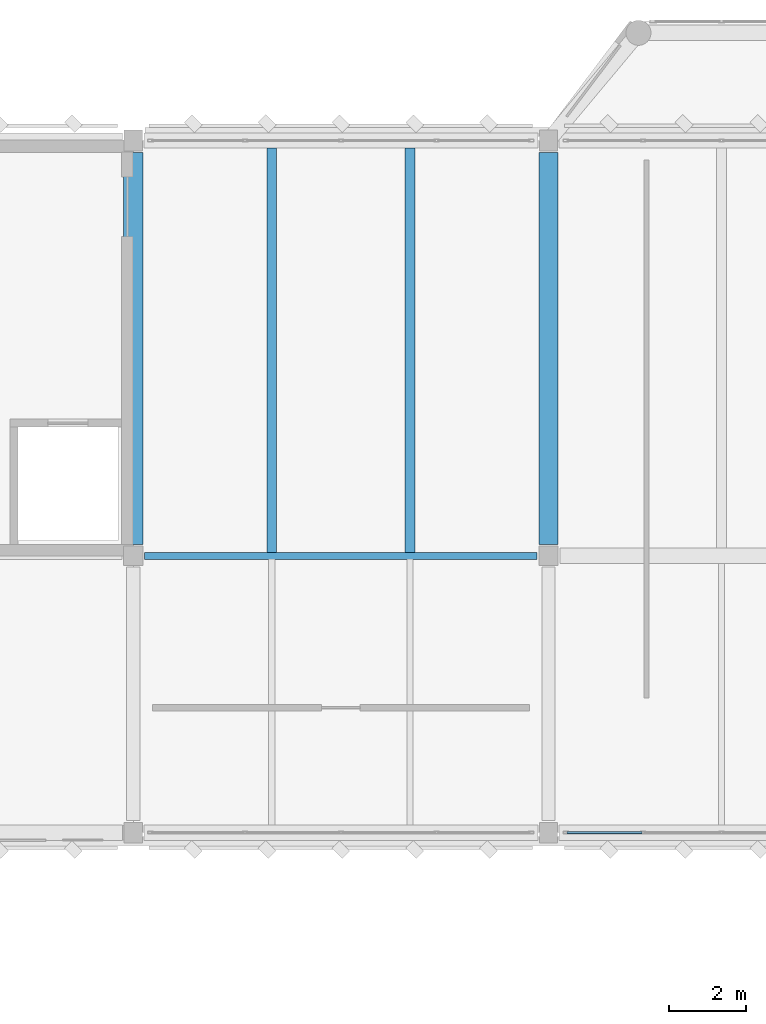
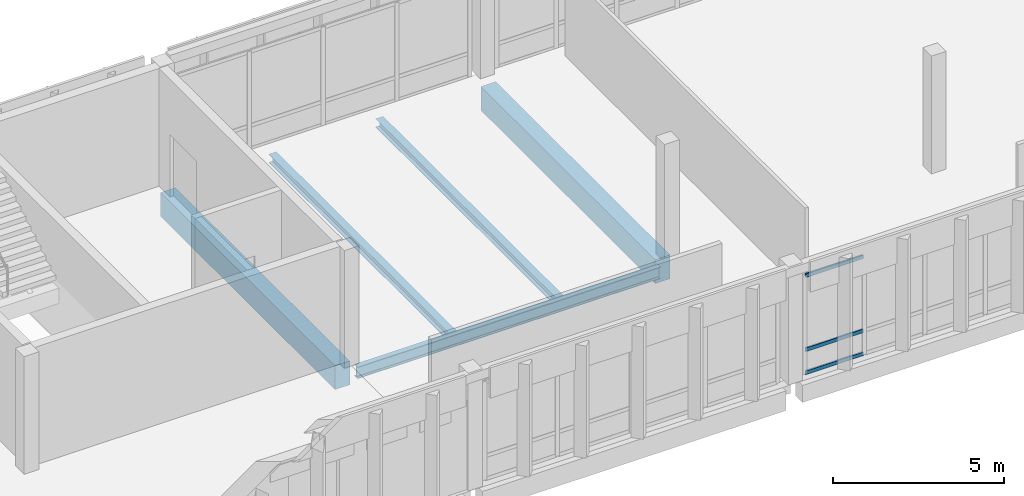
# One storey, part 34 of 72: 5 beams, 3 members, 1 element without a shape of its own.
"""IFC4 building model written with IfcOpenShell, lengths in metres."""

import ifcopenshell
import ifcopenshell.guid

model = None  # the IFC model being written
_history = None  # IfcOwnerHistory: only IFC2X3 demands one
_inside = {}  # id of a spatial element -> (the spatial element, [elements in it])
_under = {}  # id of a project, library or spatial element -> (it, [spatial elements below it])
_declared = {}  # id of a project -> (the project, [libraries it declares])
_typed = {}  # id of a type object -> (the type object, [elements of that type])
_made_of = {}  # id of a material, layer set ... -> (it, [elements and type objects made of it])


def new_model(schema):
    """Start an empty IFC model of exactly this schema.

    Asked for "IFC4X3", IfcOpenShell would pick the latest addendum, in which some entities
    have other attributes; the version numbers below select the first issue.
    IFC2X3 requires an IfcOwnerHistory on every rooted entity: one is made here for all.
    """
    global model, _history
    if schema == "IFC4X3":
        model = ifcopenshell.file(schema_version=(4, 3, 0, 0))
    else:
        model = ifcopenshell.file(schema=schema)
    _inside.clear()
    _under.clear()
    _declared.clear()
    _typed.clear()
    _made_of.clear()
    _history = None
    if model.schema == "IFC2X3":
        org = make("IfcOrganization", Name="unknown")
        user = make(
            "IfcPersonAndOrganization",
            ThePerson=make("IfcPerson", FamilyName="unknown"),
            TheOrganization=org,
        )
        app = make(
            "IfcApplication",
            ApplicationDeveloper=org,
            Version="unknown",
            ApplicationFullName="unknown",
            ApplicationIdentifier="unknown",
        )
        _history = make(
            "IfcOwnerHistory",
            OwningUser=user,
            OwningApplication=app,
            ChangeAction="ADDED",
            CreationDate=0,
        )
    return model


def make(cls, **values):
    """One entity of the class cls with the attributes given. An attribute that is None is left unset."""
    return model.create_entity(
        cls, **{name: value for name, value in values.items() if value is not None}
    )


def rooted(cls, **values):
    """An entity with a GlobalId (a new one), such as an element, a storey or a relation."""
    return make(cls, GlobalId=ifcopenshell.guid.new(), OwnerHistory=_history, **values)


def si_unit(unit_type, name, prefix=None):
    """IfcSIUnit, for example si_unit("LENGTHUNIT", "METRE", prefix="MILLI")."""
    return make("IfcSIUnit", UnitType=unit_type, Prefix=prefix, Name=name)


def assignment(units):
    """IfcUnitAssignment: the units of a project."""
    return None if units is None else make("IfcUnitAssignment", Units=units)


def point(xyz):
    """IfcCartesianPoint."""
    return None if xyz is None else make("IfcCartesianPoint", Coordinates=xyz)


def direction(xyz):
    """IfcDirection."""
    return None if xyz is None else make("IfcDirection", DirectionRatios=xyz)


def frame(location, z_axis=None, x_axis=None):
    """IfcAxis2Placement3D, a coordinate frame: its origin and axes. An axis left out is left unset."""
    return make(
        "IfcAxis2Placement3D",
        Location=point(location),
        Axis=direction(z_axis),
        RefDirection=direction(x_axis),
    )


def frame_2d(location, x_axis=None):
    """IfcAxis2Placement2D, a coordinate frame in the plane: its origin and x axis."""
    return make(
        "IfcAxis2Placement2D", Location=point(location), RefDirection=direction(x_axis)
    )


def origin():
    """The frame at (0, 0, 0) with its axes left unset."""
    return frame((0.0, 0.0, 0.0))


def origin_2d():
    """The frame at (0, 0) in the plane with its x axis left unset."""
    return frame_2d((0.0, 0.0))


def place(relative_to, where):
    """IfcLocalPlacement: puts the frame where relative to a parent placement (None: the world)."""
    return make(
        "IfcLocalPlacement", PlacementRelTo=relative_to, RelativePlacement=where
    )


def context(
    kind, dimensions, precision=None, world=None, true_north=None, identifier=None
):
    """IfcGeometricRepresentationContext, for example the 3D "Model" context."""
    return make(
        "IfcGeometricRepresentationContext",
        ContextIdentifier=identifier,
        ContextType=kind,
        CoordinateSpaceDimension=dimensions,
        Precision=precision,
        WorldCoordinateSystem=world,
        TrueNorth=true_north,
    )


def subcontext(parent, identifier, kind, view, scale=None):
    """IfcGeometricRepresentationSubContext, for example "Body" below "Model"."""
    return make(
        "IfcGeometricRepresentationSubContext",
        ContextIdentifier=identifier,
        ContextType=kind,
        ParentContext=parent,
        TargetScale=scale,
        TargetView=view,
    )


def project(units=None, contexts=None):
    """IfcProject with its units and contexts."""
    return rooted(
        "IfcProject",
        Name="project",
        RepresentationContexts=contexts,
        UnitsInContext=assignment(units),
    )


def spatial(cls, under=None, at=None, **own):
    """A site, building, storey or space (cls), placed at a placement, below another one or the project."""
    s = rooted(cls, ObjectPlacement=at, **own)
    if under is not None:
        _under.setdefault(under.id(), (under, []))[1].append(s)
    return s


def profile(cls, at=None, kind="AREA", **sizes):
    """A parametric profile (cls). Its sizes go by their IFC names, for example OverallWidth=200.0."""
    return make(cls, ProfileType=kind, Position=at, **sizes)


def rectangle(**sizes):
    """IfcRectangleProfileDef."""
    return profile("IfcRectangleProfileDef", **sizes)


def hollow_rectangle(**sizes):
    """IfcRectangleHollowProfileDef."""
    return profile("IfcRectangleHollowProfileDef", **sizes)


def i_section(**sizes):
    """IfcIShapeProfileDef."""
    return profile("IfcIShapeProfileDef", **sizes)


def extrude(swept, where, along, depth):
    """IfcExtrudedAreaSolid: the profile swept, set in the frame where, extruded along a direction by depth."""
    return make(
        "IfcExtrudedAreaSolid",
        SweptArea=swept,
        Position=where,
        ExtrudedDirection=direction(along),
        Depth=depth,
    )


def shape(context_of_items, identifier, shape_type, items):
    """IfcShapeRepresentation: the items that make up one representation, for example the "Body"."""
    return make(
        "IfcShapeRepresentation",
        ContextOfItems=context_of_items,
        RepresentationIdentifier=identifier,
        RepresentationType=shape_type,
        Items=items,
    )


def material(Name=None, Category=None):
    """IfcMaterial."""
    return make("IfcMaterial", Name=Name, Category=Category)


def material_profile(
    of_material, cross_section, Name=None, Category=None, Priority=None
):
    """IfcMaterialProfile: a cross section and its material."""
    return make(
        "IfcMaterialProfile",
        Name=Name,
        Material=of_material,
        Profile=cross_section,
        Priority=Priority,
        Category=Category,
    )


def profile_set(profiles, Name=None, composite=None):
    """IfcMaterialProfileSet."""
    return make(
        "IfcMaterialProfileSet",
        Name=Name,
        MaterialProfiles=profiles,
        CompositeProfile=composite,
    )


def made_of(thing, what):
    """Note that an element or type object is made of a material, layer set ...; save() writes the relation."""
    if what is not None:
        _made_of.setdefault(what.id(), (what, []))[1].append(thing)
    return thing


def type_object(cls, material=None, **own):
    """A type object (cls), such as IfcWallType, which elements share."""
    return made_of(rooted(cls, **own), material)


def element(
    cls,
    number,
    at=None,
    inside=None,
    cuts=None,
    type_object=None,
    material=None,
    context=None,
    identifier="Body",
    shape_type=None,
    held_by="IfcProductDefinitionShape",
    body=None,
    shapes=None,
    **own,
):
    """One element of the class cls, such as IfcWall. Its Tag is "e" and its number.

    at: its placement. inside: the storey or other place that contains it. cuts: it is an
    opening in that element (IfcRelVoidsElement). A single representation is given by context,
    identifier, shape_type and body (its items); several are given by shapes. held_by: the class
    of the entity that holds the representations. save() writes the other relations.
    """
    e = rooted(cls, Tag="e%d" % number, ObjectPlacement=at, **own)
    if body is not None:
        shapes = [shape(context, identifier, shape_type, body)]
    if shapes is not None:
        e.Representation = make(held_by, Representations=shapes)
    if inside is not None:
        _inside.setdefault(inside.id(), (inside, []))[1].append(e)
    if cuts is not None:
        rooted(
            "IfcRelVoidsElement", RelatingBuildingElement=cuts, RelatedOpeningElement=e
        )
    if type_object is not None:
        _typed.setdefault(type_object.id(), (type_object, []))[1].append(e)
    return made_of(e, material)


def aggregate(whole, parts):
    """IfcRelAggregates: a whole, such as a stair, and the parts it consists of."""
    return rooted("IfcRelAggregates", RelatingObject=whole, RelatedObjects=parts)


def save(model, path):
    """Write the relations noted so far, then the file.

    IfcRelAggregates (storeys below a building ...), IfcRelContainedInSpatialStructure (elements
    in a storey), IfcRelDefinesByType, IfcRelAssociatesMaterial and IfcRelDeclares: one each for
    every whole, place, type object, material and project.
    """
    for whole, parts in _under.values():
        aggregate(whole, parts)
    for where, things in _inside.values():
        rooted(
            "IfcRelContainedInSpatialStructure",
            RelatedElements=things,
            RelatingStructure=where,
        )
    for kind, things in _typed.values():
        rooted("IfcRelDefinesByType", RelatedObjects=things, RelatingType=kind)
    for what, things in _made_of.values():
        rooted("IfcRelAssociatesMaterial", RelatedObjects=things, RelatingMaterial=what)
    for by, libraries in _declared.values():
        rooted("IfcRelDeclares", RelatingContext=by, RelatedDefinitions=libraries)
    model.write(path)


model = new_model("IFC4")

# Units and contexts
model_context = context("Model", 3, precision=1e-05, world=origin(), true_north=direction((0.0, 1.0)))
body_context = subcontext(model_context, "Body", "Model", "MODEL_VIEW")
ifc_project = project(units=[si_unit("LENGTHUNIT", "METRE"), si_unit("AREAUNIT", "SQUARE_METRE"), si_unit("VOLUMEUNIT", "CUBIC_METRE"), si_unit("PLANEANGLEUNIT", "RADIAN"), si_unit("MASSUNIT", "GRAM", prefix="KILO")], contexts=[model_context])

# Site, building, storey
site_placement = place(None, origin())
site = spatial("IfcSite", under=ifc_project, at=site_placement, CompositionType="ELEMENT")
building_placement = place(site_placement, origin())
building = spatial("IfcBuilding", under=site, at=building_placement, Name="Lusvemor Sports Hall", CompositionType="ELEMENT")
storey_placement = place(building_placement, frame((0.0, 0.0, 15.0)))
storey = spatial("IfcBuildingStorey", under=building, at=storey_placement, Name="L03", CompositionType="ELEMENT", Elevation=15.0)

# Beam
ifc_material_1 = material(Name="Steel S355", Category="steel")
ifc_material_profile_1 = material_profile(ifc_material_1, i_section(OverallWidth=0.180908203125, OverallDepth=0.4169921875, WebThickness=0.010986328125, FlangeThickness=0.018310546875, FilletRadius=0.01611328125, at=origin_2d()), Name="W410x85.0")
ifc_profile_set_1 = profile_set([ifc_material_profile_1], Name="Steel S355")
beam_type_1 = type_object("IfcBeamType", Name="BEAM_ST_410H", PredefinedType="BEAM", material=ifc_profile_set_1)
beam_placement = place(storey_placement, frame((65.095947265625, 104.39990234375, -0.452392578125), z_axis=(1.0, 0.0, 0.0), x_axis=(0.0, 1.0, 0.0)))
element("IfcBeam", 1, at=beam_placement, inside=storey, type_object=beam_type_1, Name="Beam L03 P:7-8", PredefinedType="BEAM", context=body_context, shape_type="SweptSolid", body=[
    extrude(i_section(OverallWidth=0.180908203125, OverallDepth=0.4169921875, WebThickness=0.010986328125, FlangeThickness=0.018310546875, FilletRadius=0.01611328125, at=origin_2d()), origin(), (0.0, 0.0, 1.0), 10.2080078125),
])

# Curtain wall, members
ifc_material_2 = material(Name="Thermally broken bronze-anodized aluminium", Category="aluminium")
curtain_wall_type = type_object("IfcCurtainWallType", Name="CW_WING_B", PredefinedType="NOTDEFINED", material=ifc_material_2)
curtain_wall_placement = place(storey_placement, origin())
curtain_wall = element("IfcCurtainWall", 2, at=curtain_wall_placement, inside=storey, type_object=curtain_wall_type, Name="Curtain Wall CW-L03-S-3-5", PredefinedType="NOTDEFINED")
ifc_material_3 = material(Name="Thermally broken bronze-anodized aluminium", Category="aluminium")
ifc_material_profile_2 = material_profile(ifc_material_3, hollow_rectangle(XDim=0.06005859375, YDim=0.135009765625, WallThickness=0.00390625, InnerFilletRadius=0.00390625, OuterFilletRadius=0.008056640625, at=origin_2d()), Name="CWTRN135x60x4")
ifc_profile_set_2 = profile_set([ifc_material_profile_2], Name="Thermally broken bronze-anodized aluminium")
member_type = type_object("IfcMemberType", Name="CW_TRN_B", PredefinedType="USERDEFINED", material=ifc_profile_set_2)
member_1_placement = place(storey_placement, frame((78.027587890625, 97.199951171875, 0.030029296875), z_axis=(-1.0, 0.0, 0.0), x_axis=(0.0, -1.0, 0.0)))
member_1 = element("IfcMember", 3, at=member_1_placement, type_object=member_type, Name="CW02 transom 4.1", ObjectType="TRANSOM", PredefinedType="USERDEFINED", context=body_context, shape_type="SweptSolid", body=[
    extrude(hollow_rectangle(XDim=0.06005859375, YDim=0.135009765625, WallThickness=0.00390625, InnerFilletRadius=0.00390625, OuterFilletRadius=0.008056640625, at=origin_2d()), origin(), (0.0, 0.0, 1.0), 1.942626953125),
])
member_2_placement = place(storey_placement, frame((78.027587890625, 97.199951171875, 0.85009765625), z_axis=(-1.0, 0.0, 0.0), x_axis=(0.0, -1.0, 0.0)))
member_2 = element("IfcMember", 4, at=member_2_placement, type_object=member_type, Name="CW02 transom 4.2", ObjectType="TRANSOM", PredefinedType="USERDEFINED", context=body_context, shape_type="SweptSolid", body=[
    extrude(hollow_rectangle(XDim=0.06005859375, YDim=0.135009765625, WallThickness=0.00390625, InnerFilletRadius=0.00390625, OuterFilletRadius=0.008056640625, at=origin_2d()), origin(), (0.0, 0.0, 1.0), 1.942626953125),
])
member_3_placement = place(storey_placement, frame((78.027587890625, 97.199951171875, 3.489990234375), z_axis=(-1.0, 0.0, 0.0), x_axis=(0.0, -1.0, 0.0)))
member_3 = element("IfcMember", 5, at=member_3_placement, type_object=member_type, Name="CW02 transom 4.3", ObjectType="TRANSOM", PredefinedType="USERDEFINED", context=body_context, shape_type="SweptSolid", body=[
    extrude(hollow_rectangle(XDim=0.06005859375, YDim=0.135009765625, WallThickness=0.00390625, InnerFilletRadius=0.00390625, OuterFilletRadius=0.008056640625, at=origin_2d()), origin(), (0.0, 0.0, 1.0), 1.942626953125),
])
aggregate(curtain_wall, [member_1, member_2, member_3])

# Beams
ifc_material_4 = material(Name="Concrete C40/50", Category="concrete")
ifc_material_profile_3 = material_profile(ifc_material_4, rectangle(XDim=0.5, YDim=0.85009765625, at=origin_2d()), Name="RC500x850")
ifc_profile_set_3 = profile_set([ifc_material_profile_3], Name="Concrete C40/50")
beam_type_2 = type_object("IfcBeamType", Name="GIRD_RC_850", PredefinedType="T_BEAM", material=ifc_profile_set_3)
for number, where, z_axis, x_axis, name in (
    (6, (64.800048828125, 104.696044921875, -0.6650390625), (0.0, 1.0, 0.0), (-1.0, 0.0, 0.0), "Beam L03 7:P-Q"),
    (7, (75.60009765625, 104.696044921875, -0.6650390625), (0.0, 1.0, 0.0), (-1.0, 0.0, 0.0), "Beam L03 8:P-Q"),
):
    element("IfcBeam", number, at=place(storey_placement, frame(where, z_axis=z_axis, x_axis=x_axis)), inside=storey, type_object=beam_type_2, Name=name, PredefinedType="T_BEAM", context=body_context, shape_type="SweptSolid", body=[
        extrude(rectangle(XDim=0.5, YDim=0.85009765625, at=origin_2d()), origin(), (0.0, 0.0, 1.0), 10.18798828125),
    ])
ifc_material_5 = material(Name="Steel S355", Category="steel")
ifc_material_profile_4 = material_profile(ifc_material_5, i_section(OverallWidth=0.25390625, OverallDepth=0.305908203125, WebThickness=0.0087890625, FlangeThickness=0.0146484375, FilletRadius=0.014892578125, at=origin_2d()), Name="W310x79.0")
ifc_profile_set_4 = profile_set([ifc_material_profile_4], Name="Steel S355")
beam_type_3 = type_object("IfcBeamType", Name="JOIST_ST_310H", PredefinedType="JOIST", material=ifc_profile_set_4)
for number, where, z_axis, x_axis, name in (
    (8, (68.39990234375, 104.486572265625, -0.39697265625), (0.0, 1.0, 0.0), (-1.0, 0.0, 0.0), "Secondary Joist L03 7-8/P-Q #1"),
    (9, (72.0, 104.486572265625, -0.39697265625), (0.0, 1.0, 0.0), (-1.0, 0.0, 0.0), "Secondary Joist L03 7-8/P-Q #2"),
):
    element("IfcBeam", number, at=place(storey_placement, frame(where, z_axis=z_axis, x_axis=x_axis)), inside=storey, type_object=beam_type_3, Name=name, PredefinedType="JOIST", context=body_context, shape_type="SweptSolid", body=[
        extrude(i_section(OverallWidth=0.25390625, OverallDepth=0.305908203125, WebThickness=0.0087890625, FlangeThickness=0.0146484375, FilletRadius=0.014892578125, at=origin_2d()), origin(), (0.0, 0.0, 1.0), 10.517333984375),
    ])

save(model, "model.ifc")
